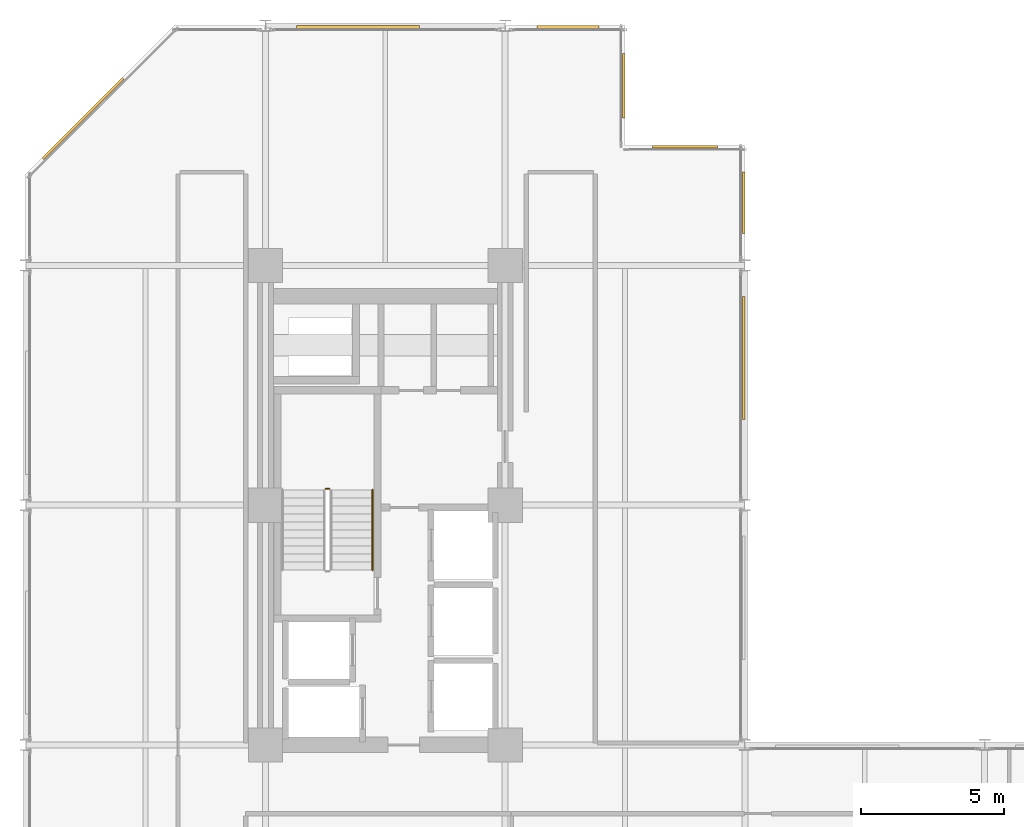
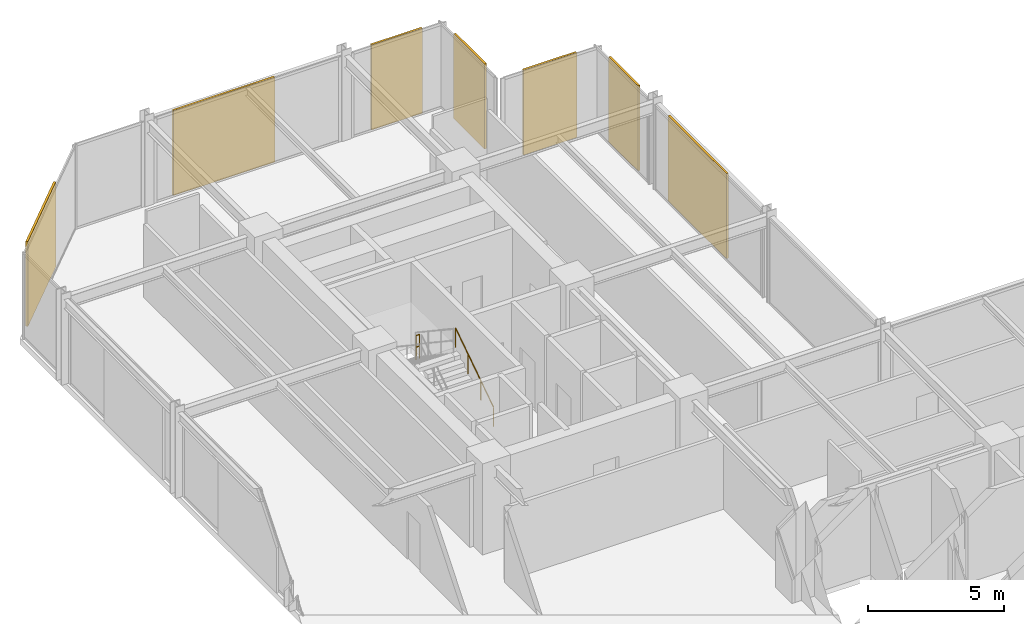
# One storey, part 38 of 38: 7 coverings, 2 railings.
"""IFC4 building model written with IfcOpenShell, lengths in metres."""

from ifc_helpers import new_model, si_unit, direction, frame, origin, origin_2d, place, context, subcontext, project, spatial, rectangle, circle, extrude, material, layer, layer_set, type_object, element, save


model = new_model("IFC4")

# Units and contexts
model_context = context("Model", 3, precision=1e-05, world=origin(), true_north=direction((0.0, 1.0)))
body_context = subcontext(model_context, "Body", "Model", "MODEL_VIEW")
ifc_project = project(units=[si_unit("LENGTHUNIT", "METRE"), si_unit("AREAUNIT", "SQUARE_METRE"), si_unit("VOLUMEUNIT", "CUBIC_METRE"), si_unit("PLANEANGLEUNIT", "RADIAN"), si_unit("MASSUNIT", "GRAM", prefix="KILO")], contexts=[model_context])

# Site, building, storey
site_placement = place(None, origin())
site = spatial("IfcSite", under=ifc_project, at=site_placement, CompositionType="ELEMENT")
building_placement = place(site_placement, origin())
building = spatial("IfcBuilding", under=site, at=building_placement, Name="Nerrivon Quay Data Exchange", CompositionType="ELEMENT")
storey_placement = place(building_placement, frame((0.0, 0.0, 84.39990234375)))
storey = spatial("IfcBuildingStorey", under=building, at=storey_placement, Name="L19", CompositionType="ELEMENT", Elevation=84.39990234375)

# Coverings
ifc_material_1 = material(Name="Architectural terracotta ceramic", Category="masonry")
ifc_layer = layer(ifc_material_1, 0.090087890625)
ifc_layer_set = layer_set([ifc_layer], Name="Architectural terracotta ceramic")
covering_type = type_object("IfcCoveringType", Name="COV-SCR-TERR", PredefinedType="CLADDING", material=ifc_layer_set)
covering_1_placement = place(storey_placement, frame((2.0078125, 47.144287109375, 0.0), z_axis=(0.0, 0.0, 1.0), x_axis=(0.707106781187, 0.707106781187, 0.0)))
element("IfcCovering", 1, at=covering_1_placement, inside=storey, type_object=covering_type, Name="L19 Perforated Terracotta SOLAR SCREEN Cassette", PredefinedType="CLADDING", context=body_context, shape_type="SweptSolid", body=[
    extrude(rectangle(XDim=3.970947265625, YDim=0.090087890625, at=origin_2d()), origin(), (0.0, 0.0, 1.0), 3.824951171875),
])
covering_2_placement = place(storey_placement, frame((11.639892578125, 50.35498046875, 0.0), z_axis=(0.0, 0.0, 1.0), x_axis=(1.0, 0.0, 0.0)))
element("IfcCovering", 2, at=covering_2_placement, inside=storey, type_object=covering_type, Name="L19 Perforated Terracotta SOLAR SCREEN Cassette", PredefinedType="CLADDING", context=body_context, shape_type="SweptSolid", body=[
    extrude(rectangle(XDim=4.320068359375, YDim=0.090087890625, at=origin_2d()), origin(), (0.0, 0.0, 1.0), 3.824951171875),
])
covering_3_placement = place(storey_placement, frame((19.0, 50.35498046875, 0.0), z_axis=(0.0, 0.0, 1.0), x_axis=(1.0, 0.0, 0.0)))
element("IfcCovering", 3, at=covering_3_placement, inside=storey, type_object=covering_type, Name="L19 Perforated Terracotta SOLAR SCREEN Cassette", PredefinedType="CLADDING", context=body_context, shape_type="SweptSolid", body=[
    extrude(rectangle(XDim=2.159912109375, YDim=0.090087890625, at=origin_2d()), origin(), (0.0, 0.0, 1.0), 3.824951171875),
])
for number, where, z_axis, x_axis, name in (
    (4, (20.955078125, 48.300048828125, 0.0), (0.0, 0.0, 1.0), (0.0, -1.0, 0.0), "L19 Perforated Terracotta SOLAR SCREEN Cassette"),
    (5, (23.10009765625, 46.155029296875, 0.0), (0.0, 0.0, 1.0), (1.0, 0.0, 0.0), "L19 Perforated Terracotta SOLAR SCREEN Cassette"),
):
    element("IfcCovering", number, at=place(storey_placement, frame(where, z_axis=z_axis, x_axis=x_axis)), inside=storey, type_object=covering_type, Name=name, PredefinedType="CLADDING", context=body_context, shape_type="SweptSolid", body=[
        extrude(rectangle(XDim=2.26806640625, YDim=0.090087890625, at=origin_2d()), origin(), (0.0, 0.0, 1.0), 3.824951171875),
    ])
covering_4_placement = place(storey_placement, frame((25.155029296875, 44.199951171875, 0.0), z_axis=(0.0, 0.0, 1.0), x_axis=(0.0, -1.0, 0.0)))
element("IfcCovering", 6, at=covering_4_placement, inside=storey, type_object=covering_type, Name="L19 Perforated Terracotta SOLAR SCREEN Cassette", PredefinedType="CLADDING", context=body_context, shape_type="SweptSolid", body=[
    extrude(rectangle(XDim=2.159912109375, YDim=0.090087890625, at=origin_2d()), origin(), (0.0, 0.0, 1.0), 3.824951171875),
])
covering_5_placement = place(storey_placement, frame((25.155029296875, 38.760009765625, 0.0), z_axis=(0.0, 0.0, 1.0), x_axis=(0.0, -1.0, 0.0)))
element("IfcCovering", 7, at=covering_5_placement, inside=storey, type_object=covering_type, Name="L19 Perforated Terracotta SOLAR SCREEN Cassette", PredefinedType="CLADDING", context=body_context, shape_type="SweptSolid", body=[
    extrude(rectangle(XDim=4.320068359375, YDim=0.090087890625, at=origin_2d()), origin(), (0.0, 0.0, 1.0), 3.824951171875),
])

# Railings
ifc_material_2 = material(Name="Steel Grade C350L0 (350 MPa)", Category="steel")
railing_type_1 = type_object("IfcRailingType", Name="RAIL-HAND-HR1", PredefinedType="HANDRAIL", material=ifc_material_2)
railing_1_placement = place(storey_placement, frame((12.14990234375, 31.330078125, 0.1865234375)))
element("IfcRailing", 8, at=railing_1_placement, inside=storey, type_object=railing_type_1, Name="L19 ST01 stair handrail 1", PredefinedType="HANDRAIL", context=body_context, shape_type="SweptSolid", body=[
    extrude(circle(Radius=0.02392578125, at=origin_2d()), frame((0.0, 0.0, 0.8759765625), z_axis=(0.0, 0.832463268671, 0.554080234545), x_axis=(-1.0, 0.0, 0.0)), (0.0, 0.0, 1.0), 3.36328125),
    extrude(circle(Radius=0.02099609375, at=origin_2d()), origin(), (0.0, 0.0, 1.0), 0.851806640625),
    extrude(circle(Radius=0.02099609375, at=origin_2d()), frame((0.0, 0.933349609375, 0.62109375)), (0.0, 0.0, 1.0), 0.851806640625),
    extrude(circle(Radius=0.02099609375, at=origin_2d()), frame((0.0, 1.866455078125, 1.242431640625)), (0.0, 0.0, 1.0), 0.851806640625),
    extrude(circle(Radius=0.02099609375, at=origin_2d()), frame((0.0, 2.7998046875, 1.863525390625)), (0.0, 0.0, 1.0), 0.851806640625),
])
railing_type_2 = type_object("IfcRailingType", Name="RAIL-STAIR-GR1", PredefinedType="BALUSTRADE", material=ifc_material_2)
railing_2_placement = place(storey_placement, frame((10.64990234375, 34.179931640625, 2.050048828125)))
element("IfcRailing", 9, at=railing_2_placement, inside=storey, type_object=railing_type_2, Name="L19 ST01 stair guard 2", PredefinedType="BALUSTRADE", context=body_context, shape_type="SweptSolid", body=[
    extrude(circle(Radius=0.02392578125, at=origin_2d()), frame((0.0, 0.0, 1.076171875), z_axis=(-1.0, 0.0, 0.0), x_axis=(0.0, -1.0, 0.0)), (0.0, 0.0, 1.0), 0.14990234375),
    extrude(circle(Radius=0.02392578125, at=origin_2d()), frame((0.0, 0.0, 0.550048828125), z_axis=(-1.0, 0.0, 0.0), x_axis=(0.0, -1.0, 0.0)), (0.0, 0.0, 1.0), 0.14990234375),
    extrude(circle(Radius=0.02099609375, at=origin_2d()), origin(), (0.0, 0.0, 1.0), 1.052001953125),
    extrude(circle(Radius=0.02099609375, at=origin_2d()), frame((-0.14990234375, 0.0, 0.0)), (0.0, 0.0, 1.0), 1.052001953125),
])

save(model, "model.ifc")
